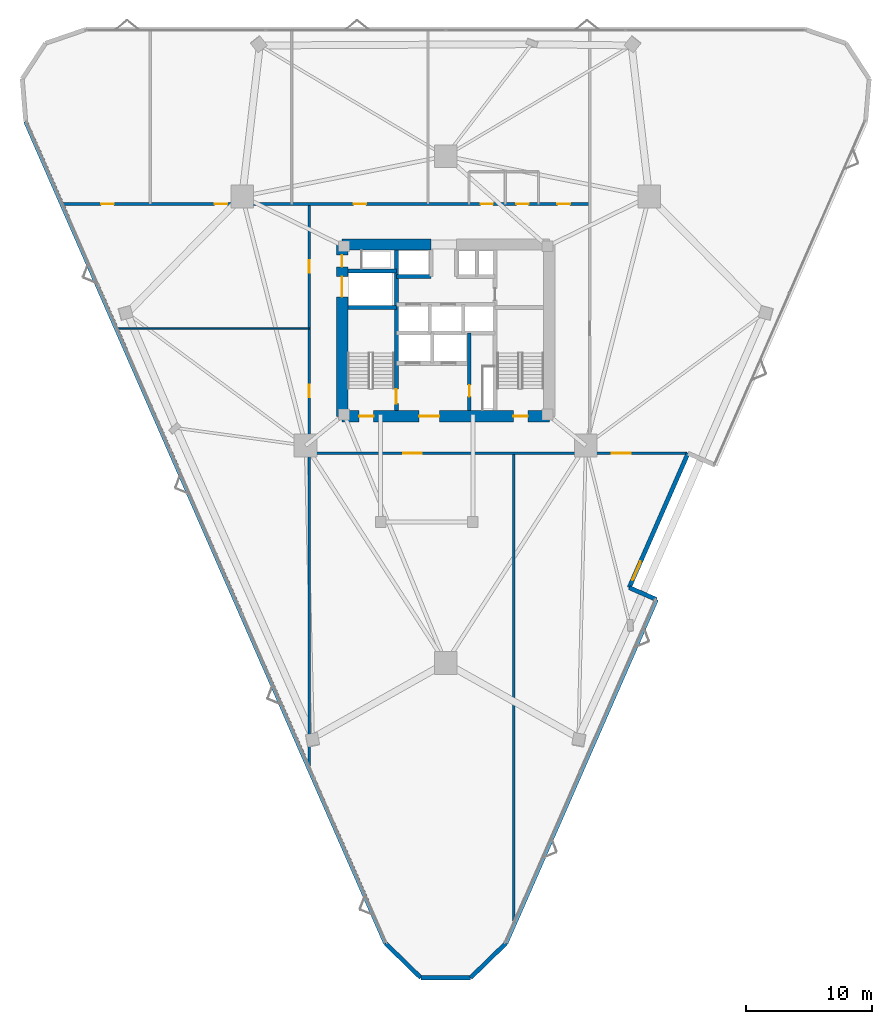
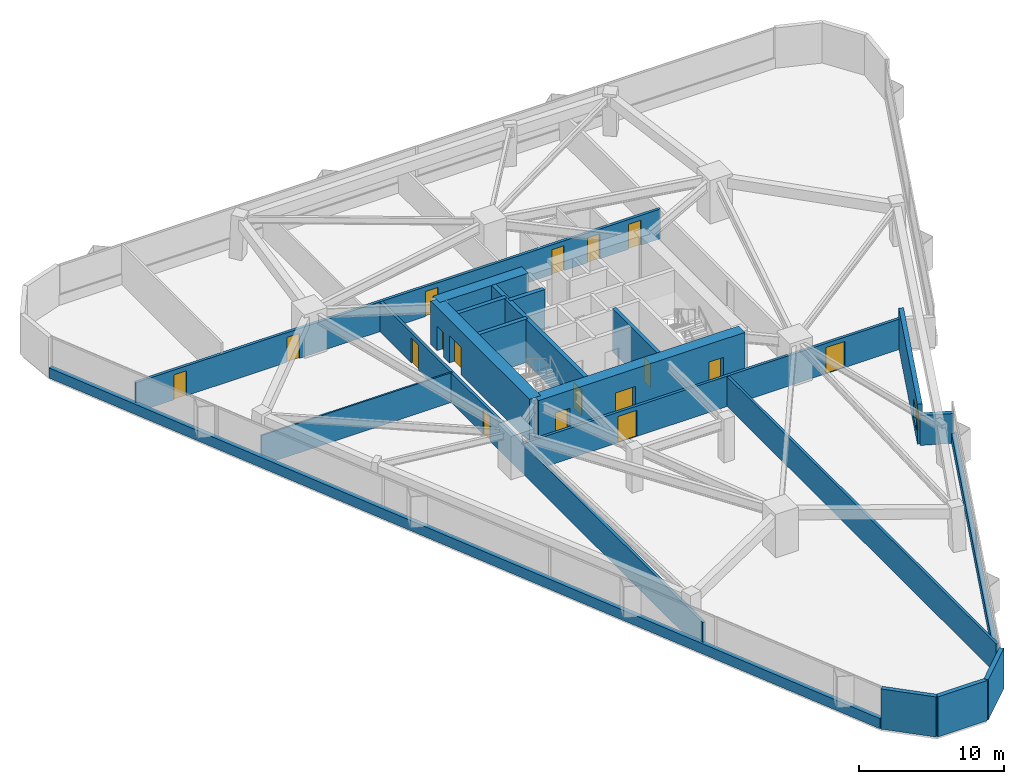
# One storey, part 12 of 14: 20 walls, 17 doors, 1 window, 18 openings.
"""IFC4 building model written with IfcOpenShell, lengths in metres."""

from ifc_helpers import new_model, si_unit, direction, frame, frame_2d, origin, place, context, subcontext, project, spatial, rectangle, extrude, material, layer, layer_set, type_object, element, fill, save


model = new_model("IFC4")

# Units and contexts
model_context = context("Model", 3, precision=1e-05, world=origin(), true_north=direction((0.0, 1.0)))
body_context = subcontext(model_context, "Body", "Model", "MODEL_VIEW")
ifc_project = project(units=[si_unit("LENGTHUNIT", "METRE"), si_unit("AREAUNIT", "SQUARE_METRE"), si_unit("VOLUMEUNIT", "CUBIC_METRE"), si_unit("PLANEANGLEUNIT", "RADIAN"), si_unit("MASSUNIT", "GRAM", prefix="KILO")], contexts=[model_context])

# Site, building, storey
site_placement = place(None, origin())
site = spatial("IfcSite", under=ifc_project, at=site_placement, CompositionType="ELEMENT")
building_placement = place(site_placement, origin())
building = spatial("IfcBuilding", under=site, at=building_placement, Name="Talyreon Biosciences Tower", CompositionType="ELEMENT")
storey_placement = place(building_placement, frame((0.0, 0.0, 48.35009765625)))
storey = spatial("IfcBuildingStorey", under=building, at=storey_placement, Name="L12", CompositionType="ELEMENT", Elevation=48.35009765625)

# Wall
ifc_material_1 = material(Name="Gypsum fireboard acoustic stud", Category="gypsum")
ifc_layer_1 = layer(ifc_material_1, 0.199951171875)
ifc_layer_set_1 = layer_set([ifc_layer_1], Name="Gypsum fireboard acoustic stud")
wall_type_1 = type_object("IfcWallType", Name="ChemControlPartition_200", PredefinedType="PARTITIONING", material=ifc_layer_set_1)
wall_1_placement = place(storey_placement, frame((71.39794921875, 21.1513671875, 0.0), z_axis=(0.0, 0.0, 1.0), x_axis=(0.0, 1.0, 0.0)))
element("IfcWall", 1, at=wall_1_placement, inside=storey, type_object=wall_type_1, Name="L12 Interior Wall IW-L12-SDIV1", PredefinedType="PARTITIONING", context=body_context, shape_type="SweptSolid", body=[
    extrude(rectangle(XDim=37.128662109375, YDim=0.199951171875, at=frame_2d((18.564453125, 0.0))), origin(), (0.0, 0.0, 1.0), 2.5048828125),
])

# Wall, opening, door
ifc_material_2 = material(Name="Concrete C50/60", Category="concrete")
ifc_layer_2 = layer(ifc_material_2, 0.280029296875)
ifc_layer_set_2 = layer_set([ifc_layer_2], Name="Concrete C50/60")
wall_type_2 = type_object("IfcWallType", Name="CoreShearWall_280", PredefinedType="SHEAR", material=ifc_layer_set_2)
wall_2_placement = place(storey_placement, frame((67.8798828125, 61.64990234375, 0.0), z_axis=(0.0, 0.0, 1.0), x_axis=(0.0, 1.0, 0.0)))
wall_2 = element("IfcWall", 2, at=wall_2_placement, inside=storey, type_object=wall_type_2, Name="L12 Core Shaft Wall SWFFE", PredefinedType="SHEAR", context=body_context, shape_type="SweptSolid", body=[
    extrude(rectangle(XDim=6.150146484375, YDim=0.280029296875, at=frame_2d((3.0751953125, 0.0))), origin(), (0.0, 0.0, 1.0), 3.64990234375),
])
opening_1_placement = place(wall_2_placement, frame((1.10009765625, 0.0, 0.0)))
opening_1 = element("IfcOpeningElement", 3, at=opening_1_placement, cuts=wall_2, Name="Opening DR-L12-RSE", PredefinedType="OPENING", context=body_context, shape_type="SweptSolid", body=[
    extrude(rectangle(XDim=0.919921875, YDim=2.050048828125, at=frame_2d((0.4599609375, 1.02490234375))), frame((0.0, 0.14990234375, 0.0), z_axis=(0.0, -1.0, 0.0), x_axis=(1.0, 0.0, 0.0)), (0.0, 0.0, 1.0), 0.300048828125),
])
ifc_material_3 = material(Name="Painted steel fire-rated riser door", Category="steel")
door_type_1 = type_object("IfcDoorType", Name="RiserPlantAccessDoor_920x2050", OperationType="NOTDEFINED", PredefinedType="DOOR", material=ifc_material_3)
door_1_placement = place(opening_1_placement, origin())
door_1 = element("IfcDoor", 4, at=door_1_placement, inside=storey, type_object=door_type_1, Name="L12 Core Door DR-L12-RSE", OperationType="SINGLE_SWING_RIGHT", OverallHeight=2.050048828125, OverallWidth=0.919921875, PredefinedType="DOOR", context=body_context, shape_type="SweptSolid", body=[
    extrude(rectangle(XDim=0.919921875, YDim=2.050048828125, at=frame_2d((0.4599609375, 1.02490234375))), frame((0.0, 0.02490234375, 0.0), z_axis=(0.0, -1.0, 0.0), x_axis=(1.0, 0.0, 0.0)), (0.0, 0.0, 1.0), 0.050048828125),
])
fill(opening_1, door_1)

ifc_layer_3 = layer(ifc_material_2, 0.320068359375)
ifc_layer_set_3 = layer_set([ifc_layer_3], Name="Concrete C50/60")
wall_type_3 = type_object("IfcWallType", Name="CoreShearWall_320", PredefinedType="SHEAR", material=ifc_layer_set_3)
wall_3_placement = place(storey_placement, frame((62.090087890625, 61.64990234375, 0.0), z_axis=(0.0, 0.0, 1.0), x_axis=(0.0, 1.0, 0.0)))
wall_3 = element("IfcWall", 5, at=wall_3_placement, inside=storey, type_object=wall_type_3, Name="L12 Core Shaft Wall SW1E", PredefinedType="SHEAR", context=body_context, shape_type="SweptSolid", body=[
    extrude(rectangle(XDim=12.7001953125, YDim=0.320068359375, at=frame_2d((6.35009765625, 0.0))), origin(), (0.0, 0.0, 1.0), 3.64990234375),
])
opening_2_placement = place(wall_3_placement, frame((0.550048828125, 0.0, 0.0)))
opening_2 = element("IfcOpeningElement", 6, at=opening_2_placement, cuts=wall_3, Name="Opening DR-L12-FF-ST1", PredefinedType="OPENING", context=body_context, shape_type="SweptSolid", body=[
    extrude(rectangle(XDim=1.14990234375, YDim=2.14990234375, at=frame_2d((0.574951171875, 1.074951171875))), frame((0.0, 0.169921875, 0.0), z_axis=(0.0, -1.0, 0.0), x_axis=(1.0, 0.0, 0.0)), (0.0, 0.0, 1.0), 0.340087890625),
])
ifc_material_4 = material(Name="Painted steel fire door", Category="steel")
door_type_2 = type_object("IfcDoorType", Name="StairShaftFireDoor_1150x2150", OperationType="NOTDEFINED", PredefinedType="DOOR", material=ifc_material_4)
door_2_placement = place(opening_2_placement, origin())
door_2 = element("IfcDoor", 7, at=door_2_placement, inside=storey, type_object=door_type_2, Name="L12 Core Door DR-L12-FF-ST1", OperationType="SINGLE_SWING_LEFT", OverallHeight=2.14990234375, OverallWidth=1.14990234375, PredefinedType="DOOR", context=body_context, shape_type="SweptSolid", body=[
    extrude(rectangle(XDim=1.14990234375, YDim=2.14990234375, at=frame_2d((0.574951171875, 1.074951171875))), frame((0.0, 0.02490234375, 0.0), z_axis=(0.0, -1.0, 0.0), x_axis=(1.0, 0.0, 0.0)), (0.0, 0.0, 1.0), 0.050048828125),
])
fill(opening_2, door_2)

# Walls
for number, where, z_axis, x_axis, name in (
    (8, (58.25, 69.81005859375, 0.0), (0.0, 0.0, 1.0), (1.0, 0.0, 0.0), "L12 Core Shaft Wall SW1N"),
    (9, (58.25, 72.699951171875, 0.0), (0.0, 0.0, 1.0), (1.0, 0.0, 0.0), "L12 Core Shaft Wall SWGLN"),
):
    element("IfcWall", number, at=place(storey_placement, frame(where, z_axis=z_axis, x_axis=x_axis)), inside=storey, type_object=wall_type_3, Name=name, PredefinedType="SHEAR", context=body_context, shape_type="SweptSolid", body=[
        extrude(rectangle(XDim=3.840087890625, YDim=0.320068359375, at=frame_2d((1.919921875, 0.0))), origin(), (0.0, 0.0, 1.0), 3.64990234375),
    ])
wall_4_placement = place(storey_placement, frame((62.090087890625, 72.25, 0.0), z_axis=(0.0, 0.0, 1.0), x_axis=(1.0, 0.0, 0.0)))
element("IfcWall", 10, at=wall_4_placement, inside=storey, type_object=wall_type_3, Name="L12 Core Shaft Wall SWNPW", PredefinedType="SHEAR", context=body_context, shape_type="SweptSolid", body=[
    extrude(rectangle(XDim=2.760009765625, YDim=0.320068359375, at=frame_2d((1.3798828125, 0.0))), origin(), (0.0, 0.0, 1.0), 3.64990234375),
])

# Wall, openings, doors
ifc_material_5 = material(Name="Concrete C60/75", Category="concrete")
ifc_layer_4 = layer(ifc_material_5, 0.89990234375)
ifc_layer_set_4 = layer_set([ifc_layer_4], Name="Concrete C60/75")
wall_type_4 = type_object("IfcWallType", Name="CoreShearWall_900", PredefinedType="SHEAR", material=ifc_layer_set_4)
wall_5_placement = place(storey_placement, frame((57.800048828125, 61.199951171875, 0.0), z_axis=(0.0, 0.0, 1.0), x_axis=(1.0, 0.0, 0.0)))
wall_5 = element("IfcWall", 11, at=wall_5_placement, inside=storey, type_object=wall_type_4, Name="L12 Core Shear Wall S", PredefinedType="SHEAR", context=body_context, shape_type="SweptSolid", body=[
    extrude(rectangle(XDim=16.39990234375, YDim=0.89990234375, at=frame_2d((8.199951171875, 0.0))), origin(), (0.0, 0.0, 1.0), 3.64990234375),
])
opening_3_placement = place(wall_5_placement, frame((1.35009765625, 0.0, 0.0)))
opening_3 = element("IfcOpeningElement", 12, at=opening_3_placement, cuts=wall_5, Name="Opening DR-L12-ST1", PredefinedType="OPENING", context=body_context, shape_type="SweptSolid", body=[
    extrude(rectangle(XDim=1.14990234375, YDim=2.14990234375, at=frame_2d((0.574951171875, 1.074951171875))), frame((0.0, 0.4599609375, 0.0), z_axis=(0.0, -1.0, 0.0), x_axis=(1.0, 0.0, 0.0)), (0.0, 0.0, 1.0), 0.919921875),
])
opening_4_placement = place(wall_5_placement, frame((6.10009765625, 0.0, 0.0)))
opening_4 = element("IfcOpeningElement", 13, at=opening_4_placement, cuts=wall_5, Name="Opening DR-L12-FFL", PredefinedType="OPENING", context=body_context, shape_type="SweptSolid", body=[
    extrude(rectangle(XDim=1.60009765625, YDim=2.14990234375, at=frame_2d((0.800048828125, 1.074951171875))), frame((0.0, 0.4599609375, 0.0), z_axis=(0.0, -1.0, 0.0), x_axis=(1.0, 0.0, 0.0)), (0.0, 0.0, 1.0), 0.919921875),
])
opening_5_placement = place(wall_5_placement, frame((13.550048828125, 0.0, 0.0)))
opening_5 = element("IfcOpeningElement", 14, at=opening_5_placement, cuts=wall_5, Name="Opening DR-L12-ST2", PredefinedType="OPENING", context=body_context, shape_type="SweptSolid", body=[
    extrude(rectangle(XDim=1.14990234375, YDim=2.14990234375, at=frame_2d((0.574951171875, 1.074951171875))), frame((0.0, 0.4599609375, 0.0), z_axis=(0.0, -1.0, 0.0), x_axis=(1.0, 0.0, 0.0)), (0.0, 0.0, 1.0), 0.919921875),
])
ifc_material_6 = material(Name="Painted steel smoke-seal fire door", Category="steel")
door_type_3 = type_object("IfcDoorType", Name="FirefightingLobbyDoubleDoor_1600x2150", OperationType="DOUBLE_DOOR_SINGLE_SWING", PredefinedType="DOOR", material=ifc_material_6)
door_3_placement = place(opening_4_placement, origin())
door_3 = element("IfcDoor", 15, at=door_3_placement, inside=storey, type_object=door_type_3, Name="L12 Core Door DR-L12-FFL", OperationType="DOUBLE_DOOR_SINGLE_SWING", OverallHeight=2.14990234375, OverallWidth=1.60009765625, PredefinedType="DOOR", context=body_context, shape_type="SweptSolid", body=[
    extrude(rectangle(XDim=1.60009765625, YDim=2.14990234375, at=frame_2d((0.800048828125, 1.074951171875))), frame((0.0, 0.02490234375, 0.0), z_axis=(0.0, -1.0, 0.0), x_axis=(1.0, 0.0, 0.0)), (0.0, 0.0, 1.0), 0.050048828125),
])
fill(opening_4, door_3)
door_4_placement = place(opening_3_placement, origin())
door_4 = element("IfcDoor", 16, at=door_4_placement, inside=storey, type_object=door_type_2, Name="L12 Core Door DR-L12-ST1", OperationType="SINGLE_SWING_LEFT", OverallHeight=2.14990234375, OverallWidth=1.14990234375, PredefinedType="DOOR", context=body_context, shape_type="SweptSolid", body=[
    extrude(rectangle(XDim=1.14990234375, YDim=2.14990234375, at=frame_2d((0.574951171875, 1.074951171875))), frame((0.0, 0.02490234375, 0.0), z_axis=(0.0, -1.0, 0.0), x_axis=(1.0, 0.0, 0.0)), (0.0, 0.0, 1.0), 0.050048828125),
])
fill(opening_3, door_4)
door_5_placement = place(opening_5_placement, origin())
door_5 = element("IfcDoor", 17, at=door_5_placement, inside=storey, type_object=door_type_2, Name="L12 Core Door DR-L12-ST2", OperationType="SINGLE_SWING_RIGHT", OverallHeight=2.14990234375, OverallWidth=1.14990234375, PredefinedType="DOOR", context=body_context, shape_type="SweptSolid", body=[
    extrude(rectangle(XDim=1.14990234375, YDim=2.14990234375, at=frame_2d((0.574951171875, 1.074951171875))), frame((0.0, 0.02490234375, 0.0), z_axis=(0.0, -1.0, 0.0), x_axis=(1.0, 0.0, 0.0)), (0.0, 0.0, 1.0), 0.050048828125),
])
fill(opening_5, door_5)

# Wall
wall_6_placement = place(storey_placement, frame((64.85009765625, 74.800048828125, 0.0), z_axis=(0.0, 0.0, 1.0), x_axis=(-1.0, 0.0, 0.0)))
element("IfcWall", 18, at=wall_6_placement, inside=storey, type_object=wall_type_4, Name="L12 Core Shear Wall NW", PredefinedType="SHEAR", context=body_context, shape_type="SweptSolid", body=[
    extrude(rectangle(XDim=7.050048828125, YDim=0.89990234375, at=frame_2d((3.52490234375, 0.0))), origin(), (0.0, 0.0, 1.0), 3.64990234375),
])

# Wall, openings, doors
wall_7_placement = place(storey_placement, frame((57.800048828125, 74.800048828125, 0.0), z_axis=(0.0, 0.0, 1.0), x_axis=(0.0, -1.0, 0.0)))
wall_7 = element("IfcWall", 19, at=wall_7_placement, inside=storey, type_object=wall_type_4, Name="L12 Core Shear Wall W", PredefinedType="SHEAR", context=body_context, shape_type="SweptSolid", body=[
    extrude(rectangle(XDim=13.60009765625, YDim=0.89990234375, at=frame_2d((6.800048828125, 0.0))), origin(), (0.0, 0.0, 1.0), 3.64990234375),
])
opening_6_placement = place(wall_7_placement, frame((0.85009765625, 0.0, 0.0)))
opening_6 = element("IfcOpeningElement", 20, at=opening_6_placement, cuts=wall_7, Name="Opening DR-L12-RSW", PredefinedType="OPENING", context=body_context, shape_type="SweptSolid", body=[
    extrude(rectangle(XDim=0.919921875, YDim=2.050048828125, at=frame_2d((0.4599609375, 1.02490234375))), frame((0.0, 0.4599609375, 0.0), z_axis=(0.0, -1.0, 0.0), x_axis=(1.0, 0.0, 0.0)), (0.0, 0.0, 1.0), 0.919921875),
])
opening_7_placement = place(wall_7_placement, frame((2.550048828125, 0.0, 0.0)))
opening_7 = element("IfcOpeningElement", 21, at=opening_7_placement, cuts=wall_7, Name="Opening LD-L12-GL1", PredefinedType="OPENING", context=body_context, shape_type="SweptSolid", body=[
    extrude(rectangle(XDim=1.60009765625, YDim=2.300048828125, at=frame_2d((0.800048828125, 1.14990234375))), frame((0.0, 0.4599609375, 0.0), z_axis=(0.0, -1.0, 0.0), x_axis=(1.0, 0.0, 0.0)), (0.0, 0.0, 1.0), 0.919921875),
])
ifc_material_7 = material(Name="Heavy-duty stainless-steel goods lift door", Category="steel")
door_type_4 = type_object("IfcDoorType", Name="GoodsLiftSlidingDoor_1600x2300", OperationType="DOUBLE_DOOR_SLIDING", PredefinedType="DOOR", material=ifc_material_7)
door_6_placement = place(opening_7_placement, origin())
door_6 = element("IfcDoor", 22, at=door_6_placement, inside=storey, type_object=door_type_4, Name="L12 Core Door LD-L12-GL1", OperationType="DOUBLE_DOOR_SLIDING", OverallHeight=2.300048828125, OverallWidth=1.60009765625, PredefinedType="DOOR", context=body_context, shape_type="SweptSolid", body=[
    extrude(rectangle(XDim=1.60009765625, YDim=2.300048828125, at=frame_2d((0.800048828125, 1.14990234375))), frame((0.0, 0.02490234375, 0.0), z_axis=(0.0, -1.0, 0.0), x_axis=(1.0, 0.0, 0.0)), (0.0, 0.0, 1.0), 0.050048828125),
])
fill(opening_7, door_6)
door_7_placement = place(opening_6_placement, origin())
door_7 = element("IfcDoor", 23, at=door_7_placement, inside=storey, type_object=door_type_1, Name="L12 Core Door DR-L12-RSW", OperationType="SINGLE_SWING_LEFT", OverallHeight=2.050048828125, OverallWidth=0.919921875, PredefinedType="DOOR", context=body_context, shape_type="SweptSolid", body=[
    extrude(rectangle(XDim=0.919921875, YDim=2.050048828125, at=frame_2d((0.4599609375, 1.02490234375))), frame((0.0, 0.02490234375, 0.0), z_axis=(0.0, -1.0, 0.0), x_axis=(1.0, 0.0, 0.0)), (0.0, 0.0, 1.0), 0.050048828125),
])
fill(opening_6, door_7)

ifc_layer_5 = layer(ifc_material_1, 0.219970703125)
ifc_layer_set_5 = layer_set([ifc_layer_5], Name="Gypsum fireboard acoustic stud")
wall_type_5 = type_object("IfcWallType", Name="CorridorRatedPartition_220", PredefinedType="PARTITIONING", material=ifc_layer_set_5)
wall_8_placement = place(storey_placement, frame((35.710205078125, 78.0, 0.0), z_axis=(0.0, 0.0, 1.0), x_axis=(1.0, 0.0, 0.0)))
wall_8 = element("IfcWall", 24, at=wall_8_placement, inside=storey, type_object=wall_type_5, Name="L12 Interior Wall IW-L12-COR-N", PredefinedType="PARTITIONING", context=body_context, shape_type="SweptSolid", body=[
    extrude(rectangle(XDim=41.689697265625, YDim=0.219970703125, at=frame_2d((20.8447265625, 0.0))), origin(), (0.0, 0.0, 1.0), 2.5048828125),
])
opening_8_placement = place(wall_8_placement, frame((33.050048828125, 0.0, 0.0)))
opening_8 = element("IfcOpeningElement", 25, at=opening_8_placement, cuts=wall_8, Name="Opening DR-L12-WC", PredefinedType="OPENING", context=body_context, shape_type="SweptSolid", body=[
    extrude(rectangle(XDim=0.97998046875, YDim=2.10009765625, at=frame_2d((0.489990234375, 1.050048828125))), frame((0.0, 0.119873046875, 0.0), z_axis=(0.0, -1.0, 0.0), x_axis=(1.0, 0.0, 0.0)), (0.0, 0.0, 1.0), 0.239990234375),
])
opening_9_placement = place(wall_8_placement, frame((35.875, 0.0, 0.0)))
opening_9 = element("IfcOpeningElement", 26, at=opening_9_placement, cuts=wall_8, Name="Opening DR-L12-AWC", PredefinedType="OPENING", context=body_context, shape_type="SweptSolid", body=[
    extrude(rectangle(XDim=0.97998046875, YDim=2.10009765625, at=frame_2d((0.489990234375, 1.050048828125))), frame((0.0, 0.119873046875, 0.0), z_axis=(0.0, -1.0, 0.0), x_axis=(1.0, 0.0, 0.0)), (0.0, 0.0, 1.0), 0.239990234375),
])
opening_10_placement = place(wall_8_placement, frame((3.028076171875, 0.0, 0.0)))
opening_10 = element("IfcOpeningElement", 27, at=opening_10_placement, cuts=wall_8, Name="Opening DR-L12-N1A", PredefinedType="OPENING", context=body_context, shape_type="SweptSolid", body=[
    extrude(rectangle(XDim=1.0, YDim=2.10009765625, at=frame_2d((0.5, 1.050048828125))), frame((0.0, 0.119873046875, 0.0), z_axis=(0.0, -1.0, 0.0), x_axis=(1.0, 0.0, 0.0)), (0.0, 0.0, 1.0), 0.239990234375),
])
opening_11_placement = place(wall_8_placement, frame((12.00390625, 0.0, 0.0)))
opening_11 = element("IfcOpeningElement", 28, at=opening_11_placement, cuts=wall_8, Name="Opening DR-L12-N2A", PredefinedType="OPENING", context=body_context, shape_type="SweptSolid", body=[
    extrude(rectangle(XDim=1.0, YDim=2.10009765625, at=frame_2d((0.5, 1.050048828125))), frame((0.0, 0.119873046875, 0.0), z_axis=(0.0, -1.0, 0.0), x_axis=(1.0, 0.0, 0.0)), (0.0, 0.0, 1.0), 0.239990234375),
])
opening_12_placement = place(wall_8_placement, frame((22.9951171875, 0.0, 0.0)))
opening_12 = element("IfcOpeningElement", 29, at=opening_12_placement, cuts=wall_8, Name="Opening DR-L12-N3A", PredefinedType="OPENING", context=body_context, shape_type="SweptSolid", body=[
    extrude(rectangle(XDim=1.0, YDim=2.10009765625, at=frame_2d((0.5, 1.050048828125))), frame((0.0, 0.119873046875, 0.0), z_axis=(0.0, -1.0, 0.0), x_axis=(1.0, 0.0, 0.0)), (0.0, 0.0, 1.0), 0.239990234375),
])
opening_13_placement = place(wall_8_placement, frame((39.1298828125, 0.0, 0.0)))
opening_13 = element("IfcOpeningElement", 30, at=opening_13_placement, cuts=wall_8, Name="Opening DR-L12-N4A", PredefinedType="OPENING", context=body_context, shape_type="SweptSolid", body=[
    extrude(rectangle(XDim=1.0, YDim=2.10009765625, at=frame_2d((0.5, 1.050048828125))), frame((0.0, 0.119873046875, 0.0), z_axis=(0.0, -1.0, 0.0), x_axis=(1.0, 0.0, 0.0)), (0.0, 0.0, 1.0), 0.239990234375),
])
ifc_material_8 = material(Name="Laminate moisture-resistant door", Category="wood")
door_type_5 = type_object("IfcDoorType", Name="AccessibleToiletDoor_980x2100", OperationType="NOTDEFINED", PredefinedType="DOOR", material=ifc_material_8)
door_8_placement = place(opening_8_placement, origin())
door_8 = element("IfcDoor", 31, at=door_8_placement, inside=storey, type_object=door_type_5, Name="L12 Interior Door DR-L12-WC", OperationType="SINGLE_SWING_RIGHT", OverallHeight=2.10009765625, OverallWidth=0.97998046875, PredefinedType="DOOR", context=body_context, shape_type="SweptSolid", body=[
    extrude(rectangle(XDim=0.97998046875, YDim=2.10009765625, at=frame_2d((0.489990234375, 1.050048828125))), frame((0.0, 0.02490234375, 0.0), z_axis=(0.0, -1.0, 0.0), x_axis=(1.0, 0.0, 0.0)), (0.0, 0.0, 1.0), 0.050048828125),
])
fill(opening_8, door_8)
door_9_placement = place(opening_9_placement, origin())
door_9 = element("IfcDoor", 32, at=door_9_placement, inside=storey, type_object=door_type_5, Name="L12 Interior Door DR-L12-AWC", OperationType="SINGLE_SWING_RIGHT", OverallHeight=2.10009765625, OverallWidth=0.97998046875, PredefinedType="DOOR", context=body_context, shape_type="SweptSolid", body=[
    extrude(rectangle(XDim=0.97998046875, YDim=2.10009765625, at=frame_2d((0.489990234375, 1.050048828125))), frame((0.0, 0.02490234375, 0.0), z_axis=(0.0, -1.0, 0.0), x_axis=(1.0, 0.0, 0.0)), (0.0, 0.0, 1.0), 0.050048828125),
])
fill(opening_9, door_9)
ifc_material_9 = material(Name="Acoustic oak veneer office door", Category="wood")
door_type_6 = type_object("IfcDoorType", Name="WriteupOfficeDoor_1000x2100", OperationType="NOTDEFINED", PredefinedType="DOOR", material=ifc_material_9)
door_10_placement = place(opening_10_placement, origin())
door_10 = element("IfcDoor", 33, at=door_10_placement, inside=storey, type_object=door_type_6, Name="L12 Interior Door DR-L12-N1A", OperationType="SINGLE_SWING_RIGHT", OverallHeight=2.10009765625, OverallWidth=1.0, PredefinedType="DOOR", context=body_context, shape_type="SweptSolid", body=[
    extrude(rectangle(XDim=1.0, YDim=2.10009765625, at=frame_2d((0.5, 1.050048828125))), frame((0.0, 0.02490234375, 0.0), z_axis=(0.0, -1.0, 0.0), x_axis=(1.0, 0.0, 0.0)), (0.0, 0.0, 1.0), 0.050048828125),
])
fill(opening_10, door_10)
door_11_placement = place(opening_11_placement, origin())
door_11 = element("IfcDoor", 34, at=door_11_placement, inside=storey, type_object=door_type_6, Name="L12 Interior Door DR-L12-N2A", OperationType="SINGLE_SWING_LEFT", OverallHeight=2.10009765625, OverallWidth=1.0, PredefinedType="DOOR", context=body_context, shape_type="SweptSolid", body=[
    extrude(rectangle(XDim=1.0, YDim=2.10009765625, at=frame_2d((0.5, 1.050048828125))), frame((0.0, 0.02490234375, 0.0), z_axis=(0.0, -1.0, 0.0), x_axis=(1.0, 0.0, 0.0)), (0.0, 0.0, 1.0), 0.050048828125),
])
fill(opening_11, door_11)
door_12_placement = place(opening_12_placement, origin())
door_12 = element("IfcDoor", 35, at=door_12_placement, inside=storey, type_object=door_type_6, Name="L12 Interior Door DR-L12-N3A", OperationType="SINGLE_SWING_RIGHT", OverallHeight=2.10009765625, OverallWidth=1.0, PredefinedType="DOOR", context=body_context, shape_type="SweptSolid", body=[
    extrude(rectangle(XDim=1.0, YDim=2.10009765625, at=frame_2d((0.5, 1.050048828125))), frame((0.0, 0.02490234375, 0.0), z_axis=(0.0, -1.0, 0.0), x_axis=(1.0, 0.0, 0.0)), (0.0, 0.0, 1.0), 0.050048828125),
])
fill(opening_12, door_12)
door_13_placement = place(opening_13_placement, origin())
door_13 = element("IfcDoor", 36, at=door_13_placement, inside=storey, type_object=door_type_6, Name="L12 Interior Door DR-L12-N4A", OperationType="SINGLE_SWING_LEFT", OverallHeight=2.10009765625, OverallWidth=1.0, PredefinedType="DOOR", context=body_context, shape_type="SweptSolid", body=[
    extrude(rectangle(XDim=1.0, YDim=2.10009765625, at=frame_2d((0.5, 1.050048828125))), frame((0.0, 0.02490234375, 0.0), z_axis=(0.0, -1.0, 0.0), x_axis=(1.0, 0.0, 0.0)), (0.0, 0.0, 1.0), 0.050048828125),
])
fill(opening_13, door_13)

wall_9_placement = place(storey_placement, frame((55.199951171875, 58.280029296875, 0.0), z_axis=(0.0, 0.0, 1.0), x_axis=(1.0, 0.0, 0.0)))
wall_9 = element("IfcWall", 37, at=wall_9_placement, inside=storey, type_object=wall_type_5, Name="L12 Interior Wall IW-L12-COR-S", PredefinedType="PARTITIONING", context=body_context, shape_type="SweptSolid", body=[
    extrude(rectangle(XDim=29.889892578125, YDim=0.219970703125, at=frame_2d((14.94482421875, 0.0))), origin(), (0.0, 0.0, 1.0), 2.554931640625),
])
opening_14_placement = place(wall_9_placement, frame((7.424072265625, 0.0, 0.0)))
opening_14 = element("IfcOpeningElement", 38, at=opening_14_placement, cuts=wall_9, Name="Opening DR-L12-S1A", PredefinedType="OPENING", context=body_context, shape_type="SweptSolid", body=[
    extrude(rectangle(XDim=1.5, YDim=2.199951171875, at=frame_2d((0.75, 1.10009765625))), frame((0.0, 0.119873046875, 0.0), z_axis=(0.0, -1.0, 0.0), x_axis=(1.0, 0.0, 0.0)), (0.0, 0.0, 1.0), 0.239990234375),
])
opening_15_placement = place(wall_9_placement, frame((23.944091796875, 0.0, 0.0)))
opening_15 = element("IfcOpeningElement", 39, at=opening_15_placement, cuts=wall_9, Name="Opening DR-L12-S2A", PredefinedType="OPENING", context=body_context, shape_type="SweptSolid", body=[
    extrude(rectangle(XDim=1.5, YDim=2.199951171875, at=frame_2d((0.75, 1.10009765625))), frame((0.0, 0.119873046875, 0.0), z_axis=(0.0, -1.0, 0.0), x_axis=(1.0, 0.0, 0.0)), (0.0, 0.0, 1.0), 0.239990234375),
])
ifc_material_10 = material(Name="Vision-panel steel laboratory fire door", Category="steel")
door_type_7 = type_object("IfcDoorType", Name="WetLabDoubleLeafDoor_1500x2200", OperationType="DOUBLE_DOOR_SINGLE_SWING", PredefinedType="DOOR", material=ifc_material_10)
door_14_placement = place(opening_14_placement, origin())
door_14 = element("IfcDoor", 40, at=door_14_placement, inside=storey, type_object=door_type_7, Name="L12 Interior Door DR-L12-S1A", OperationType="DOUBLE_DOOR_SINGLE_SWING", OverallHeight=2.199951171875, OverallWidth=1.5, PredefinedType="DOOR", context=body_context, shape_type="SweptSolid", body=[
    extrude(rectangle(XDim=1.5, YDim=2.199951171875, at=frame_2d((0.75, 1.10009765625))), frame((0.0, 0.02490234375, 0.0), z_axis=(0.0, -1.0, 0.0), x_axis=(1.0, 0.0, 0.0)), (0.0, 0.0, 1.0), 0.050048828125),
])
fill(opening_14, door_14)
door_15_placement = place(opening_15_placement, origin())
door_15 = element("IfcDoor", 41, at=door_15_placement, inside=storey, type_object=door_type_7, Name="L12 Interior Door DR-L12-S2A", OperationType="DOUBLE_DOOR_SINGLE_SWING", OverallHeight=2.199951171875, OverallWidth=1.5, PredefinedType="DOOR", context=body_context, shape_type="SweptSolid", body=[
    extrude(rectangle(XDim=1.5, YDim=2.199951171875, at=frame_2d((0.75, 1.10009765625))), frame((0.0, 0.02490234375, 0.0), z_axis=(0.0, -1.0, 0.0), x_axis=(1.0, 0.0, 0.0)), (0.0, 0.0, 1.0), 0.050048828125),
])
fill(opening_15, door_15)

wall_10_placement = place(storey_placement, frame((55.199951171875, 33.488525390625, 0.0), z_axis=(0.0, 0.0, 1.0), x_axis=(0.0, 1.0, 0.0)))
wall_10 = element("IfcWall", 42, at=wall_10_placement, inside=storey, type_object=wall_type_5, Name="L12 Interior Wall IW-L12-COR-W", PredefinedType="PARTITIONING", context=body_context, shape_type="SweptSolid", body=[
    extrude(rectangle(XDim=44.511474609375, YDim=0.219970703125, at=frame_2d((22.255859375, 0.0))), origin(), (0.0, 0.0, 1.0), 2.5048828125),
])
opening_16_placement = place(wall_10_placement, frame((29.220947265625, 0.0, 0.0)))
opening_16 = element("IfcOpeningElement", 43, at=opening_16_placement, cuts=wall_10, Name="Opening DR-L12-W1A", PredefinedType="OPENING", context=body_context, shape_type="SweptSolid", body=[
    extrude(rectangle(XDim=1.0, YDim=2.10009765625, at=frame_2d((0.5, 1.050048828125))), frame((0.0, 0.119873046875, 0.0), z_axis=(0.0, -1.0, 0.0), x_axis=(1.0, 0.0, 0.0)), (0.0, 0.0, 1.0), 0.239990234375),
])
opening_17_placement = place(wall_10_placement, frame((39.0810546875, 0.0, 0.0)))
opening_17 = element("IfcOpeningElement", 44, at=opening_17_placement, cuts=wall_10, Name="Opening DR-L12-W2A", PredefinedType="OPENING", context=body_context, shape_type="SweptSolid", body=[
    extrude(rectangle(XDim=1.0, YDim=2.10009765625, at=frame_2d((0.5, 1.050048828125))), frame((0.0, 0.119873046875, 0.0), z_axis=(0.0, -1.0, 0.0), x_axis=(1.0, 0.0, 0.0)), (0.0, 0.0, 1.0), 0.239990234375),
])
door_16_placement = place(opening_16_placement, origin())
door_16 = element("IfcDoor", 45, at=door_16_placement, inside=storey, type_object=door_type_6, Name="L12 Interior Door DR-L12-W1A", OperationType="SINGLE_SWING_RIGHT", OverallHeight=2.10009765625, OverallWidth=1.0, PredefinedType="DOOR", context=body_context, shape_type="SweptSolid", body=[
    extrude(rectangle(XDim=1.0, YDim=2.10009765625, at=frame_2d((0.5, 1.050048828125))), frame((0.0, 0.02490234375, 0.0), z_axis=(0.0, -1.0, 0.0), x_axis=(1.0, 0.0, 0.0)), (0.0, 0.0, 1.0), 0.050048828125),
])
fill(opening_16, door_16)
door_17_placement = place(opening_17_placement, origin())
door_17 = element("IfcDoor", 46, at=door_17_placement, inside=storey, type_object=door_type_6, Name="L12 Interior Door DR-L12-W2A", OperationType="SINGLE_SWING_LEFT", OverallHeight=2.10009765625, OverallWidth=1.0, PredefinedType="DOOR", context=body_context, shape_type="SweptSolid", body=[
    extrude(rectangle(XDim=1.0, YDim=2.10009765625, at=frame_2d((0.5, 1.050048828125))), frame((0.0, 0.02490234375, 0.0), z_axis=(0.0, -1.0, 0.0), x_axis=(1.0, 0.0, 0.0)), (0.0, 0.0, 1.0), 0.050048828125),
])
fill(opening_17, door_17)

# Wall
ifc_material_11 = material(Name="Gypsum acoustic stud partition", Category="gypsum")
ifc_layer_6 = layer(ifc_material_11, 0.1298828125)
ifc_layer_set_6 = layer_set([ifc_layer_6], Name="Gypsum acoustic stud partition")
wall_type_6 = type_object("IfcWallType", Name="OfficeWriteupPartition_130", PredefinedType="PARTITIONING", material=ifc_layer_set_6)
wall_11_placement = place(storey_placement, frame((40.02734375, 68.139892578125, 0.0), z_axis=(0.0, 0.0, 1.0), x_axis=(1.0, 0.0, 0.0)))
element("IfcWall", 47, at=wall_11_placement, inside=storey, type_object=wall_type_6, Name="L12 Interior Wall IW-L12-WDIV1", PredefinedType="PARTITIONING", context=body_context, shape_type="SweptSolid", body=[
    extrude(rectangle(XDim=15.172607421875, YDim=0.1298828125, at=frame_2d((7.58642578125, 0.0))), origin(), (0.0, 0.0, 1.0), 2.5048828125),
])

# Wall, opening, window
ifc_material_12 = material(Name="Precast concrete C45/55", Category="concrete")
ifc_layer_7 = layer(ifc_material_12, 0.340087890625)
ifc_layer_set_7 = layer_set([ifc_layer_7], Name="Precast concrete C45/55")
wall_type_7 = type_object("IfcWallType", Name="PrecastConcreteSpandrelWall_340", PredefinedType="STANDARD", material=ifc_layer_set_7)
wall_12_placement = place(storey_placement, frame((85.177490234375, 58.26806640625, 0.0), z_axis=(0.0, 0.0, 1.0), x_axis=(-0.401105876005, -0.916031700453, 0.0)))
wall_12 = element("IfcWall", 48, at=wall_12_placement, inside=storey, type_object=wall_type_7, Name="L12 Terrace Backing Concrete Wall 09", PredefinedType="STANDARD", context=body_context, shape_type="SweptSolid", body=[
    extrude(rectangle(XDim=11.60009765625, YDim=0.340087890625, at=frame_2d((5.800048828125, 0.0))), origin(), (0.0, 0.0, 1.0), 3.375),
])
opening_18_placement = place(wall_12_placement, frame((9.35009765625, 0.0, 0.699951171875)))
opening_18 = element("IfcOpeningElement", 49, at=opening_18_placement, cuts=wall_12, Name="Opening W06", PredefinedType="OPENING", context=body_context, shape_type="SweptSolid", body=[
    extrude(rectangle(XDim=1.60009765625, YDim=1.5, at=frame_2d((0.800048828125, 0.75))), frame((0.0, 0.179931640625, 0.0), z_axis=(0.0, -1.0, 0.0), x_axis=(1.0, 0.0, 0.0)), (0.0, 0.0, 1.0), 0.360107421875),
])
ifc_material_13 = material(Name="Thermally broken triple low-E aluminium window", Category="aluminium")
window_type = type_object("IfcWindowType", Name="CrownLouvredWindow_1600x1500", PartitioningType="SINGLE_PANEL", PredefinedType="WINDOW", material=ifc_material_13)
window_placement = place(opening_18_placement, origin())
window = element("IfcWindow", 50, at=window_placement, inside=storey, type_object=window_type, Name="L12 Sky-Garden Loggia Window 09", OverallHeight=1.5, OverallWidth=1.60009765625, PartitioningType="SINGLE_PANEL", PredefinedType="WINDOW", context=body_context, shape_type="SweptSolid", body=[
    extrude(rectangle(XDim=1.60009765625, YDim=1.5, at=frame_2d((0.800048828125, 0.75))), frame((0.0, 0.030029296875, 0.0), z_axis=(0.0, -1.0, 0.0), x_axis=(1.0, 0.0, 0.0)), (0.0, 0.0, 1.0), 0.06005859375),
])
fill(opening_18, window)

# Walls
wall_13_placement = place(storey_placement, frame((80.524658203125, 47.64208984375, 0.0), z_axis=(0.0, 0.0, 1.0), x_axis=(0.916076250182, -0.401004119495, 0.0)))
element("IfcWall", 51, at=wall_13_placement, inside=storey, type_object=wall_type_7, Name="L12 Terrace Backing Concrete Wall 10", PredefinedType="STANDARD", context=body_context, shape_type="SweptSolid", body=[
    extrude(rectangle(XDim=2.35009765625, YDim=0.340087890625, at=frame_2d((1.175048828125, 0.0))), origin(), (0.0, 0.0, 1.0), 2.5048828125),
])
wall_14_placement = place(storey_placement, frame((82.677490234375, 46.69970703125, 0.0), z_axis=(0.0, 0.0, 1.0), x_axis=(-0.401096058092, -0.916035999393, 0.0)))
element("IfcWall", 52, at=wall_14_placement, inside=storey, type_object=wall_type_7, Name="L12 Expressed Concrete Sill Wall 11", PredefinedType="STANDARD", context=body_context, shape_type="SweptSolid", body=[
    extrude(rectangle(XDim=29.703857421875, YDim=0.340087890625, at=frame_2d((14.85205078125, 0.0))), origin(), (0.0, 0.0, 1.0), 0.849853515625),
])
wall_15_placement = place(storey_placement, frame((70.763427734375, 19.489990234375, 0.0), z_axis=(0.0, 0.0, 1.0), x_axis=(-0.716458886532, -0.697629316979, 0.0)))
element("IfcWall", 53, at=wall_15_placement, inside=storey, type_object=wall_type_7, Name="L12 Rounded-Corner Concrete Pier 12", PredefinedType="STANDARD", context=body_context, shape_type="SweptSolid", body=[
    extrude(rectangle(XDim=3.915771484375, YDim=0.340087890625, at=frame_2d((1.9580078125, 0.0))), origin(), (0.0, 0.0, 1.0), 3.375),
])
wall_16_placement = place(storey_placement, frame((67.9580078125, 16.75830078125, 0.0), z_axis=(0.0, 0.0, 1.0), x_axis=(-1.0, 0.0, 0.0)))
element("IfcWall", 54, at=wall_16_placement, inside=storey, type_object=wall_type_7, Name="L12 Rounded-Corner Concrete Pier 13", PredefinedType="STANDARD", context=body_context, shape_type="SweptSolid", body=[
    extrude(rectangle(XDim=3.916015625, YDim=0.340087890625, at=frame_2d((1.9580078125, 0.0))), origin(), (0.0, 0.0, 1.0), 3.375),
])
wall_17_placement = place(storey_placement, frame((64.0419921875, 16.75830078125, 0.0), z_axis=(0.0, 0.0, 1.0), x_axis=(-0.716458886532, 0.697629316979, 0.0)))
element("IfcWall", 55, at=wall_17_placement, inside=storey, type_object=wall_type_7, Name="L12 Rounded-Corner Concrete Pier 14", PredefinedType="STANDARD", context=body_context, shape_type="SweptSolid", body=[
    extrude(rectangle(XDim=3.915771484375, YDim=0.340087890625, at=frame_2d((1.9580078125, 0.0))), origin(), (0.0, 0.0, 1.0), 3.375),
])
wall_18_placement = place(storey_placement, frame((61.236572265625, 19.489990234375, 0.0), z_axis=(0.0, 0.0, 1.0), x_axis=(-0.401097303432, 0.916035454106, 0.0)))
element("IfcWall", 56, at=wall_18_placement, inside=storey, type_object=wall_type_7, Name="L12 Expressed Concrete Sill Wall 15", PredefinedType="STANDARD", context=body_context, shape_type="SweptSolid", body=[
    extrude(rectangle(XDim=71.007080078125, YDim=0.340087890625, at=frame_2d((35.50341796875, 0.0))), origin(), (0.0, 0.0, 1.0), 0.849853515625),
])

save(model, "model.ifc")
